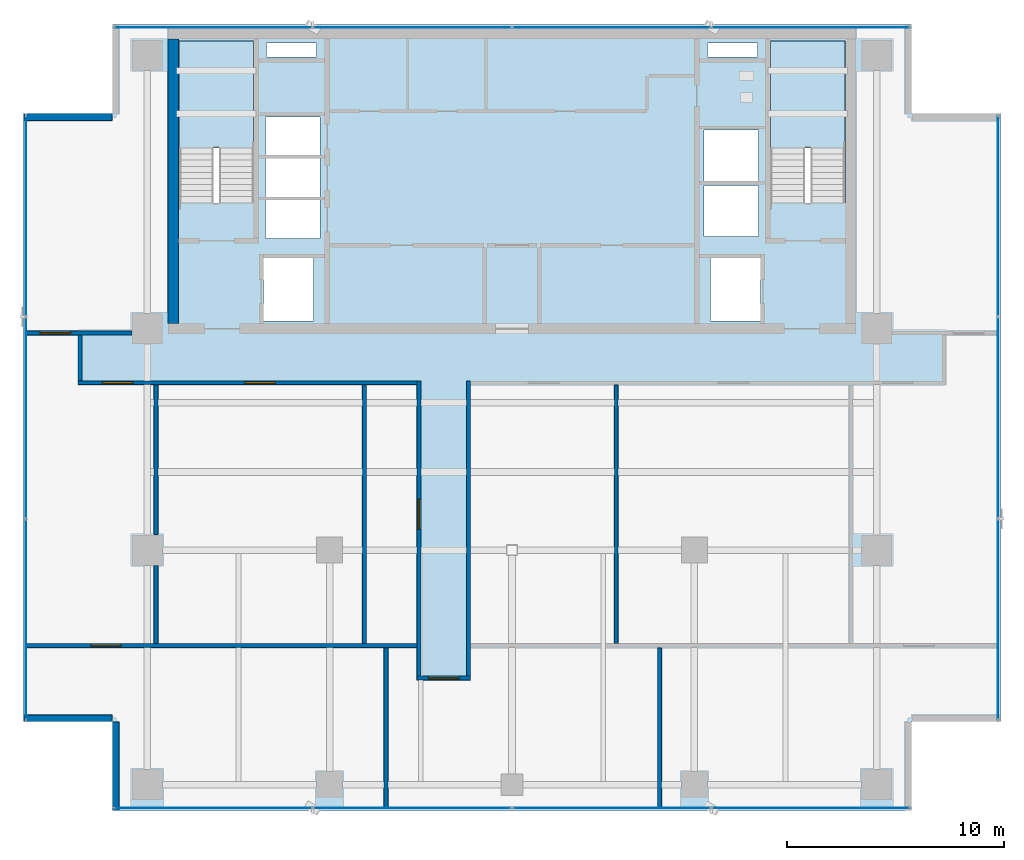
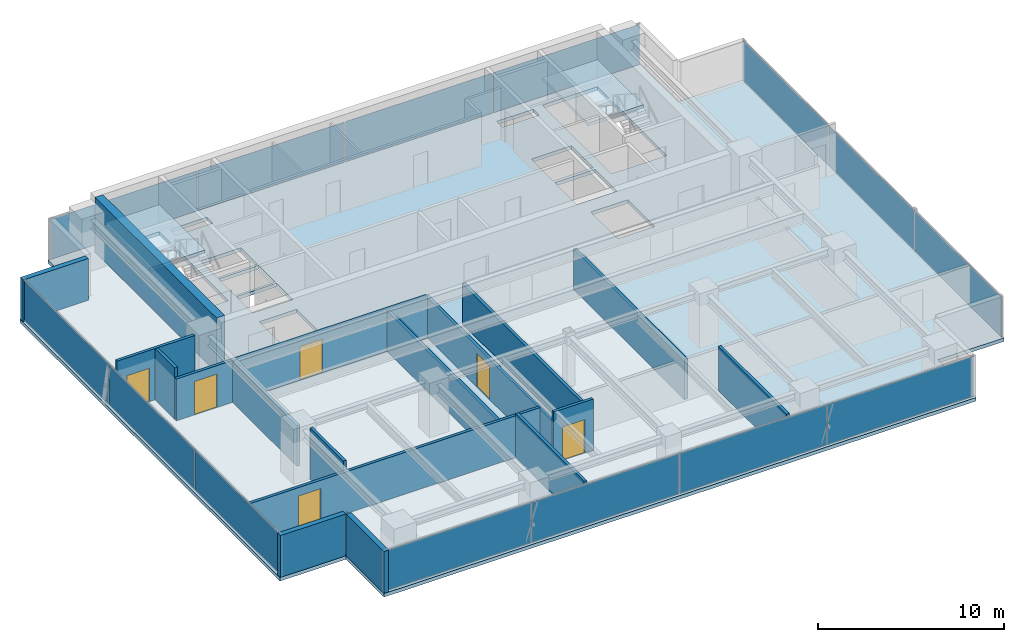
# One storey, part 19 of 26: 17 walls, 14 plates, 6 doors, 3 slabs, 6 openings, 6 elements without a shape of their own.
"""IFC4 building model written with IfcOpenShell, lengths in metres."""

from ifc_helpers import new_model, si_unit, direction, frame, frame_2d, origin, origin_2d, place, context, subcontext, project, spatial, polyline, rectangle, outline, extrude, source, transform, mapped, material, layer, layer_set, type_object, element, fill, aggregate, save


model = new_model("IFC4")

# Units and contexts
model_context = context("Model", 3, precision=1e-05, world=origin(), true_north=direction((0.0, 1.0)))
body_context = subcontext(model_context, "Body", "Model", "MODEL_VIEW")
ifc_project = project(units=[si_unit("LENGTHUNIT", "METRE"), si_unit("AREAUNIT", "SQUARE_METRE"), si_unit("VOLUMEUNIT", "CUBIC_METRE"), si_unit("PLANEANGLEUNIT", "RADIAN"), si_unit("MASSUNIT", "GRAM", prefix="KILO")], contexts=[model_context])

# Site, building, storey
site_placement = place(None, origin())
site = spatial("IfcSite", under=ifc_project, at=site_placement, CompositionType="ELEMENT")
building_placement = place(site_placement, origin())
building = spatial("IfcBuilding", under=site, at=building_placement, Name="Sumidabori Civic Tower", CompositionType="ELEMENT")
storey_placement = place(building_placement, frame((0.0, 0.0, 264.800048828125)))
storey = spatial("IfcBuildingStorey", under=building, at=storey_placement, Name="L69", CompositionType="ELEMENT", Elevation=264.800048828125)

# Stair, slab
ifc_material_1 = material(Name="Concrete C40/50", Category="concrete")
stair_type = type_object("IfcStairType", Name="ST-CORE-1600", PredefinedType="HALF_TURN_STAIR", material=ifc_material_1)
stair_1_placement = place(storey_placement, origin())
stair_1 = element("IfcStair", 1, at=stair_1_placement, inside=storey, type_object=stair_type, Name="L69 ST-1", PredefinedType="HALF_TURN_STAIR")
ifc_layer_1 = layer(ifc_material_1, 0.199951171875, Name="Concrete C40/50")
ifc_layer_set_1 = layer_set([ifc_layer_1], Name="Concrete C40/50")
slab_type_1 = type_object("IfcSlabType", Name="SL-LAND-200", PredefinedType="LANDING", material=ifc_layer_set_1)
slab_1_placement = place(storey_placement, frame((0.0, 0.0, 1.599853515625)))
slab_1 = element("IfcSlab", 2, at=slab_1_placement, type_object=slab_type_1, Name="ST-1 landing 1", PredefinedType="LANDING", context=body_context, shape_type="SweptSolid", body=[
    extrude(outline(polyline([(-11.89990234375, 18.52001953125), (-11.89990234375, 23.449951171875), (-15.340087890625, 23.449951171875), (-15.340087890625, 18.52001953125), (-11.89990234375, 18.52001953125)])), origin(), (0.0, 0.0, 1.0), 0.2001953125),
])
aggregate(stair_1, [slab_1])

stair_2_placement = place(storey_placement, origin())
stair_2 = element("IfcStair", 3, at=stair_2_placement, inside=storey, type_object=stair_type, Name="L69 ST-2", PredefinedType="HALF_TURN_STAIR")
slab_2_placement = place(storey_placement, frame((0.0, 0.0, 1.599853515625)))
slab_2 = element("IfcSlab", 4, at=slab_2_placement, type_object=slab_type_1, Name="ST-2 landing 1", PredefinedType="LANDING", context=body_context, shape_type="SweptSolid", body=[
    extrude(outline(polyline([(15.340087890625, 18.52001953125), (15.340087890625, 23.449951171875), (11.89990234375, 23.449951171875), (11.89990234375, 18.52001953125), (15.340087890625, 18.52001953125)])), origin(), (0.0, 0.0, 1.0), 0.2001953125),
])
aggregate(stair_2, [slab_2])

# Slab
ifc_layer_2 = layer(ifc_material_1, 0.22998046875, Name="Concrete C40/50")
ifc_layer_set_2 = layer_set([ifc_layer_2], Name="Concrete C40/50")
slab_type_2 = type_object("IfcSlabType", Name="SL-Z4-230", PredefinedType="FLOOR", material=ifc_layer_set_2)
slab_3_placement = place(storey_placement, frame((0.0, 0.0, -0.22998046875)))
element("IfcSlab", 5, at=slab_3_placement, inside=storey, type_object=slab_type_2, Name="Structural Slab L69", PredefinedType="FLOOR", context=body_context, shape_type="SweptSolid", body=[
    extrude(outline(polyline([(-18.39990234375, -12.0), (18.39990234375, -12.0), (18.39990234375, -7.89990234375), (22.5, -7.89990234375), (22.5, 20.10009765625), (18.39990234375, 20.10009765625), (18.39990234375, 24.199951171875), (-18.39990234375, 24.199951171875), (-18.39990234375, 20.10009765625), (-22.5, 20.10009765625), (-22.5, -7.89990234375), (-18.39990234375, -7.89990234375), (-18.39990234375, -12.0)]), holes=[polyline([(-11.89990234375, 16.0), (-11.89990234375, 23.449951171875), (-15.340087890625, 23.449951171875), (-15.340087890625, 16.0), (-11.89990234375, 16.0)]), polyline([(15.340087890625, 16.0), (15.340087890625, 23.449951171875), (11.89990234375, 23.449951171875), (11.89990234375, 16.0), (15.340087890625, 16.0)]), polyline([(-11.449951171875, 10.550048828125), (-9.14990234375, 10.550048828125), (-9.14990234375, 13.449951171875), (-11.449951171875, 13.449951171875), (-11.449951171875, 10.550048828125)]), polyline([(9.14990234375, 10.550048828125), (11.449951171875, 10.550048828125), (11.449951171875, 13.449951171875), (9.14990234375, 13.449951171875), (9.14990234375, 10.550048828125)]), polyline([(-11.35009765625, 14.35009765625), (-8.85009765625, 14.35009765625), (-8.85009765625, 16.1201171875), (-11.35009765625, 16.1201171875), (-11.35009765625, 14.35009765625)]), polyline([(-11.35009765625, 16.27001953125), (-8.85009765625, 16.27001953125), (-8.85009765625, 18.0400390625), (-11.35009765625, 18.0400390625), (-11.35009765625, 16.27001953125)]), polyline([(-11.35009765625, 18.18994140625), (-8.85009765625, 18.18994140625), (-8.85009765625, 19.9599609375), (-11.35009765625, 19.9599609375), (-11.35009765625, 18.18994140625)]), polyline([(8.85009765625, 14.449951171875), (11.35009765625, 14.449951171875), (11.35009765625, 16.800048828125), (8.85009765625, 16.800048828125), (8.85009765625, 14.449951171875)]), polyline([(8.85009765625, 17.0), (11.35009765625, 17.0), (11.35009765625, 19.35009765625), (8.85009765625, 19.35009765625), (8.85009765625, 17.0)]), polyline([(-11.300048828125, 22.719970703125), (-9.0, 22.719970703125), (-9.0, 23.35009765625), (-11.300048828125, 23.35009765625), (-11.300048828125, 22.719970703125)]), polyline([(9.0, 22.719970703125), (11.300048828125, 22.719970703125), (11.300048828125, 23.35009765625), (9.0, 23.35009765625), (9.0, 22.719970703125)])]), origin(), (0.0, 0.0, 1.0), 0.22998046875),
])

# Curtain wall, plates
ifc_material_2 = material(Name="Anodised Bronze Aluminium AW-6063-T6", Category="aluminium")
ifc_layer_3 = layer(ifc_material_2, 0.179931640625, Name="Anodised Bronze Aluminium AW-6063-T6")
ifc_layer_set_3 = layer_set([ifc_layer_3], Name="Anodised Bronze Aluminium AW-6063-T6")
curtain_wall_type = type_object("IfcCurtainWallType", Name="CW-SYS-5", PredefinedType="NOTDEFINED", material=ifc_layer_set_3)
curtain_wall_1_placement = place(storey_placement, origin())
curtain_wall_1 = element("IfcCurtainWall", 6, at=curtain_wall_1_placement, inside=storey, type_object=curtain_wall_type, Name="Curtain Wall CW:L69:R04", PredefinedType="NOTDEFINED")
ifc_material_3 = material(Name="Low-E Solar-Control Vision Glazing", Category="glass")
ifc_layer_4 = layer(ifc_material_3, 0.028076171875, Name="Low-E Solar-Control Vision Glazing")
ifc_layer_set_4 = layer_set([ifc_layer_4], Name="Low-E Solar-Control Vision Glazing")
plate_type = type_object("IfcPlateType", Name="CW-PNL-28", PredefinedType="CURTAIN_PANEL", material=ifc_layer_set_4)
shared_shape_1 = source(origin(), body_context, "Body", "SweptSolid", [
    extrude(rectangle(XDim=9.223388671875, YDim=0.028076171875, at=origin_2d()), origin(), (0.0, 0.0, 1.0), 2.6298828125),
])
plate_1_placement = place(storey_placement, frame((22.3798828125, -3.1982421875, 0.06005859375), z_axis=(0.0, 0.0, 1.0), x_axis=(0.0, 1.0, 0.0)))
plate_1 = element("IfcPlate", 7, at=plate_1_placement, type_object=plate_type, Name="CW-5 panel 1.1", PredefinedType="CURTAIN_PANEL", context=body_context, shape_type="MappedRepresentation", body=[
    mapped(shared_shape_1, transform((0.0, 0.0, 0.0), x_axis=(1.0, 0.0, 0.0), y_axis=(0.0, 1.0, 0.0), z_axis=(0.0, 0.0, 1.0), scale=1.0)),
])
plate_2_placement = place(storey_placement, frame((22.3798828125, 15.3984375, 0.06005859375), z_axis=(0.0, 0.0, 1.0), x_axis=(0.0, 1.0, 0.0)))
plate_2 = element("IfcPlate", 8, at=plate_2_placement, type_object=plate_type, Name="CW-5 panel 3.1", PredefinedType="CURTAIN_PANEL", context=body_context, shape_type="MappedRepresentation", body=[
    mapped(shared_shape_1, transform((0.0, 0.0, 0.0), x_axis=(1.0, 0.0, 0.0), y_axis=(0.0, 1.0, 0.0), z_axis=(0.0, 0.0, 1.0), scale=1.0)),
])

curtain_wall_2_placement = place(storey_placement, origin())
curtain_wall_2 = element("IfcCurtainWall", 9, at=curtain_wall_2_placement, inside=storey, type_object=curtain_wall_type, Name="Curtain Wall CW:L69:R10", PredefinedType="NOTDEFINED")
plate_3_placement = place(storey_placement, frame((-22.3798828125, 15.3984375, 0.06005859375), z_axis=(0.0, 0.0, 1.0), x_axis=(0.0, -1.0, 0.0)))
plate_3 = element("IfcPlate", 10, at=plate_3_placement, type_object=plate_type, Name="CW-5 panel 1.1", PredefinedType="CURTAIN_PANEL", context=body_context, shape_type="MappedRepresentation", body=[
    mapped(shared_shape_1, transform((0.0, 0.0, 0.0), x_axis=(1.0, 0.0, 0.0), y_axis=(0.0, 1.0, 0.0), z_axis=(0.0, 0.0, 1.0), scale=1.0)),
])
plate_4_placement = place(storey_placement, frame((-22.3798828125, -3.1982421875, 0.06005859375), z_axis=(0.0, 0.0, 1.0), x_axis=(0.0, -1.0, 0.0)))
plate_4 = element("IfcPlate", 11, at=plate_4_placement, type_object=plate_type, Name="CW-5 panel 3.1", PredefinedType="CURTAIN_PANEL", context=body_context, shape_type="MappedRepresentation", body=[
    mapped(shared_shape_1, transform((0.0, 0.0, 0.0), x_axis=(1.0, 0.0, 0.0), y_axis=(0.0, 1.0, 0.0), z_axis=(0.0, 0.0, 1.0), scale=1.0)),
])

# Plate
shared_shape_2 = source(origin(), body_context, "Body", "SweptSolid", [
    extrude(rectangle(XDim=9.25341796875, YDim=0.028076171875, at=origin_2d()), origin(), (0.0, 0.0, 1.0), 2.6298828125),
])
plate_5_placement = place(storey_placement, frame((22.3798828125, 6.10009765625, 0.06005859375), z_axis=(0.0, 0.0, 1.0), x_axis=(0.0, 1.0, 0.0)))
plate_5 = element("IfcPlate", 12, at=plate_5_placement, type_object=plate_type, Name="CW-5 panel 2.1", PredefinedType="CURTAIN_PANEL", context=body_context, shape_type="MappedRepresentation", body=[
    mapped(shared_shape_2, transform((0.0, 0.0, 0.0), x_axis=(1.0, 0.0, 0.0), y_axis=(0.0, 1.0, 0.0), z_axis=(0.0, 0.0, 1.0), scale=1.0)),
])

aggregate(curtain_wall_1, [plate_1, plate_5, plate_2])

plate_6_placement = place(storey_placement, frame((-22.3798828125, 6.10009765625, 0.06005859375), z_axis=(0.0, 0.0, 1.0), x_axis=(0.0, -1.0, 0.0)))
plate_6 = element("IfcPlate", 13, at=plate_6_placement, type_object=plate_type, Name="CW-5 panel 2.1", PredefinedType="CURTAIN_PANEL", context=body_context, shape_type="MappedRepresentation", body=[
    mapped(shared_shape_2, transform((0.0, 0.0, 0.0), x_axis=(1.0, 0.0, 0.0), y_axis=(0.0, 1.0, 0.0), z_axis=(0.0, 0.0, 1.0), scale=1.0)),
])

aggregate(curtain_wall_2, [plate_3, plate_6, plate_4])

# Curtain wall, plates
curtain_wall_3_placement = place(storey_placement, origin())
curtain_wall_3 = element("IfcCurtainWall", 14, at=curtain_wall_3_placement, inside=storey, type_object=curtain_wall_type, Name="Curtain Wall CW:L69:R01", PredefinedType="NOTDEFINED")
shared_shape_3 = source(origin(), body_context, "Body", "SweptSolid", [
    extrude(rectangle(XDim=9.094970703125, YDim=0.028076171875, at=origin_2d()), origin(), (0.0, 0.0, 1.0), 2.6298828125),
])
plate_7_placement = place(storey_placement, frame((-13.762451171875, -11.8798828125, 0.06005859375), z_axis=(0.0, 0.0, 1.0), x_axis=(1.0, 0.0, 0.0)))
plate_7 = element("IfcPlate", 15, at=plate_7_placement, type_object=plate_type, Name="CW-5 panel 1.1", PredefinedType="CURTAIN_PANEL", context=body_context, shape_type="MappedRepresentation", body=[
    mapped(shared_shape_3, transform((0.0, 0.0, 0.0), x_axis=(1.0, 0.0, 0.0), y_axis=(0.0, 1.0, 0.0), z_axis=(0.0, 0.0, 1.0), scale=1.0)),
])
plate_8_placement = place(storey_placement, frame((13.762451171875, -11.8798828125, 0.06005859375), z_axis=(0.0, 0.0, 1.0), x_axis=(1.0, 0.0, 0.0)))
plate_8 = element("IfcPlate", 16, at=plate_8_placement, type_object=plate_type, Name="CW-5 panel 4.1", PredefinedType="CURTAIN_PANEL", context=body_context, shape_type="MappedRepresentation", body=[
    mapped(shared_shape_3, transform((0.0, 0.0, 0.0), x_axis=(1.0, 0.0, 0.0), y_axis=(0.0, 1.0, 0.0), z_axis=(0.0, 0.0, 1.0), scale=1.0)),
])

curtain_wall_4_placement = place(storey_placement, origin())
curtain_wall_4 = element("IfcCurtainWall", 17, at=curtain_wall_4_placement, inside=storey, type_object=curtain_wall_type, Name="Curtain Wall CW:L69:R07", PredefinedType="NOTDEFINED")
plate_9_placement = place(storey_placement, frame((13.762451171875, 24.080078125, 0.06005859375), z_axis=(0.0, 0.0, 1.0), x_axis=(-1.0, 0.0, 0.0)))
plate_9 = element("IfcPlate", 18, at=plate_9_placement, type_object=plate_type, Name="CW-5 panel 1.1", PredefinedType="CURTAIN_PANEL", context=body_context, shape_type="MappedRepresentation", body=[
    mapped(shared_shape_3, transform((0.0, 0.0, 0.0), x_axis=(1.0, 0.0, 0.0), y_axis=(0.0, 1.0, 0.0), z_axis=(0.0, 0.0, 1.0), scale=1.0)),
])
plate_10_placement = place(storey_placement, frame((-13.762451171875, 24.080078125, 0.06005859375), z_axis=(0.0, 0.0, 1.0), x_axis=(-1.0, 0.0, 0.0)))
plate_10 = element("IfcPlate", 19, at=plate_10_placement, type_object=plate_type, Name="CW-5 panel 4.1", PredefinedType="CURTAIN_PANEL", context=body_context, shape_type="MappedRepresentation", body=[
    mapped(shared_shape_3, transform((0.0, 0.0, 0.0), x_axis=(1.0, 0.0, 0.0), y_axis=(0.0, 1.0, 0.0), z_axis=(0.0, 0.0, 1.0), scale=1.0)),
])

# Plate
shared_shape_4 = source(origin(), body_context, "Body", "SweptSolid", [
    extrude(rectangle(XDim=9.125, YDim=0.028076171875, at=origin_2d()), origin(), (0.0, 0.0, 1.0), 2.6298828125),
])
plate_11_placement = place(storey_placement, frame((-4.592529296875, -11.8798828125, 0.06005859375), z_axis=(0.0, 0.0, 1.0), x_axis=(1.0, 0.0, 0.0)))
plate_11 = element("IfcPlate", 20, at=plate_11_placement, type_object=plate_type, Name="CW-5 panel 2.1", PredefinedType="CURTAIN_PANEL", context=body_context, shape_type="MappedRepresentation", body=[
    mapped(shared_shape_4, transform((0.0, 0.0, 0.0), x_axis=(1.0, 0.0, 0.0), y_axis=(0.0, 1.0, 0.0), z_axis=(0.0, 0.0, 1.0), scale=1.0)),
])

plate_12_placement = place(storey_placement, frame((4.592529296875, -11.8798828125, 0.06005859375), z_axis=(0.0, 0.0, 1.0), x_axis=(1.0, 0.0, 0.0)))
plate_12 = element("IfcPlate", 21, at=plate_12_placement, type_object=plate_type, Name="CW-5 panel 3.1", PredefinedType="CURTAIN_PANEL", context=body_context, shape_type="MappedRepresentation", body=[
    mapped(shared_shape_4, transform((0.0, 0.0, 0.0), x_axis=(1.0, 0.0, 0.0), y_axis=(0.0, 1.0, 0.0), z_axis=(0.0, 0.0, 1.0), scale=1.0)),
])

aggregate(curtain_wall_3, [plate_7, plate_11, plate_12, plate_8])

plate_13_placement = place(storey_placement, frame((4.592529296875, 24.080078125, 0.06005859375), z_axis=(0.0, 0.0, 1.0), x_axis=(-1.0, 0.0, 0.0)))
plate_13 = element("IfcPlate", 22, at=plate_13_placement, type_object=plate_type, Name="CW-5 panel 2.1", PredefinedType="CURTAIN_PANEL", context=body_context, shape_type="MappedRepresentation", body=[
    mapped(shared_shape_4, transform((0.0, 0.0, 0.0), x_axis=(1.0, 0.0, 0.0), y_axis=(0.0, 1.0, 0.0), z_axis=(0.0, 0.0, 1.0), scale=1.0)),
])

plate_14_placement = place(storey_placement, frame((-4.592529296875, 24.080078125, 0.06005859375), z_axis=(0.0, 0.0, 1.0), x_axis=(-1.0, 0.0, 0.0)))
plate_14 = element("IfcPlate", 23, at=plate_14_placement, type_object=plate_type, Name="CW-5 panel 3.1", PredefinedType="CURTAIN_PANEL", context=body_context, shape_type="MappedRepresentation", body=[
    mapped(shared_shape_4, transform((0.0, 0.0, 0.0), x_axis=(1.0, 0.0, 0.0), y_axis=(0.0, 1.0, 0.0), z_axis=(0.0, 0.0, 1.0), scale=1.0)),
])

aggregate(curtain_wall_4, [plate_9, plate_13, plate_14, plate_10])

# Walls
ifc_material_4 = material(Name="Concrete C50/60", Category="concrete")
ifc_layer_5 = layer(ifc_material_4, 0.5, Name="Concrete C50/60")
ifc_layer_set_5 = layer_set([ifc_layer_5], Name="Concrete C50/60")
wall_type_1 = type_object("IfcWallType", Name="WL-CORE-500", PredefinedType="SHEAR", material=ifc_layer_set_5)
shared_shape_5 = source(origin(), body_context, "Body", "SweptSolid", [
    extrude(rectangle(XDim=13.10009765625, YDim=0.5, at=frame_2d((6.550048828125, 0.0))), origin(), (0.0, 0.0, 1.0), 3.599853515625),
])
wall_1_placement = place(storey_placement, frame((-15.60009765625, 10.449951171875, 0.0), z_axis=(0.0, 0.0, 1.0), x_axis=(0.0, 1.0, 0.0)))
element("IfcWall", 24, at=wall_1_placement, inside=storey, type_object=wall_type_1, Name="Core Shear Wall L69 W", PredefinedType="SHEAR", context=body_context, shape_type="MappedRepresentation", body=[
    mapped(shared_shape_5, transform((0.0, 0.0, 0.0), x_axis=(1.0, 0.0, 0.0), y_axis=(0.0, 1.0, 0.0), z_axis=(0.0, 0.0, 1.0), scale=1.0)),
])
ifc_material_5 = material(Name="Precast concrete C40/50", Category="concrete")
ifc_layer_6 = layer(ifc_material_5, 0.300048828125, Name="Precast concrete C40/50")
ifc_layer_set_6 = layer_set([ifc_layer_6], Name="Precast concrete C40/50")
wall_type_2 = type_object("IfcWallType", Name="WL-EXT-POD300", PredefinedType="STANDARD", material=ifc_layer_set_6)
shared_shape_6 = source(origin(), body_context, "Body", "SweptSolid", [
    extrude(rectangle(XDim=4.06005859375, YDim=0.300048828125, at=frame_2d((2.030029296875, 0.0))), origin(), (0.0, 0.0, 1.0), 2.75),
])
for number, where, z_axis, x_axis, name in (
    (25, (-18.419921875, 19.949951171875, 0.0), (0.0, 0.0, 1.0), (-1.0, 0.0, 0.0), "Notched Corner Spandrel Band L69-09"),
    (26, (-22.47998046875, -7.75, 0.0), (0.0, 0.0, 1.0), (1.0, 0.0, 0.0), "Notched Corner Spandrel Band L69-11"),
    (27, (-18.25, -7.919921875, 0.0), (0.0, 0.0, 1.0), (0.0, -1.0, 0.0), "Notched Corner Spandrel Band L69-12"),
):
    element("IfcWall", number, at=place(storey_placement, frame(where, z_axis=z_axis, x_axis=x_axis)), inside=storey, type_object=wall_type_2, Name=name, PredefinedType="STANDARD", context=body_context, shape_type="MappedRepresentation", body=[
        mapped(shared_shape_6, transform((0.0, 0.0, 0.0), x_axis=(1.0, 0.0, 0.0), y_axis=(0.0, 1.0, 0.0), z_axis=(0.0, 0.0, 1.0), scale=1.0)),
    ])

# Wall, opening, door
ifc_material_6 = material(Name="Gypsum Plasterboard Acoustic Partition")
ifc_layer_7 = layer(ifc_material_6, 0.179931640625, Name="Gypsum Plasterboard Acoustic Partition")
ifc_layer_set_7 = layer_set([ifc_layer_7], Name="Gypsum Plasterboard Acoustic Partition")
wall_type_3 = type_object("IfcWallType", Name="WL-PART-180", PredefinedType="PARTITIONING", material=ifc_layer_set_7)
shared_shape_7 = source(origin(), body_context, "Body", "SweptSolid", [
    extrude(rectangle(XDim=4.840087890625, YDim=0.179931640625, at=frame_2d((2.419921875, 0.0))), origin(), (0.0, 0.0, 1.0), 3.369873046875),
])
wall_2_placement = place(storey_placement, frame((-22.35009765625, 10.0, 0.0), z_axis=(0.0, 0.0, 1.0), x_axis=(1.0, 0.0, 0.0)))
wall_2 = element("IfcWall", 28, at=wall_2_placement, inside=storey, type_object=wall_type_3, Name="Interior Partition WL:L69:FLK-NW", PredefinedType="PARTITIONING", context=body_context, shape_type="MappedRepresentation", body=[
    mapped(shared_shape_7, transform((0.0, 0.0, 0.0), x_axis=(1.0, 0.0, 0.0), y_axis=(0.0, 1.0, 0.0), z_axis=(0.0, 0.0, 1.0), scale=1.0)),
])
opening_1_placement = place(wall_2_placement, frame((0.6201171875, 0.0, 0.0)))
opening_1 = element("IfcOpeningElement", 29, at=opening_1_placement, cuts=wall_2, Name="Opening DR-5", PredefinedType="OPENING", context=body_context, shape_type="SweptSolid", body=[
    extrude(rectangle(XDim=1.39990234375, YDim=2.199951171875, at=frame_2d((0.699951171875, 1.10009765625))), frame((0.0, 0.10205078125, 0.0), z_axis=(0.0, -1.0, 0.0), x_axis=(1.0, 0.0, 0.0)), (0.0, 0.0, 1.0), 0.203857421875),
])
door_type = type_object("IfcDoorType", Name="DR-DBL-1400", OperationType="DOUBLE_DOOR_SINGLE_SWING", PredefinedType="DOOR", material=ifc_material_2)
shared_shape_8 = source(origin(), body_context, "Body", "SweptSolid", [
    extrude(rectangle(XDim=1.39990234375, YDim=2.199951171875, at=frame_2d((0.699951171875, 1.10009765625))), frame((0.0, 0.02490234375, 0.0), z_axis=(0.0, -1.0, 0.0), x_axis=(1.0, 0.0, 0.0)), (0.0, 0.0, 1.0), 0.050048828125),
])
door_1_placement = place(opening_1_placement, origin())
door_1 = element("IfcDoor", 30, at=door_1_placement, inside=storey, type_object=door_type, Name="Door DR:L69:D08", OperationType="DOUBLE_DOOR_SINGLE_SWING", OverallHeight=2.199951171875, OverallWidth=1.39990234375, PredefinedType="DOOR", context=body_context, shape_type="MappedRepresentation", body=[
    mapped(shared_shape_8, transform((0.0, 0.0, 0.0), x_axis=(1.0, 0.0, 0.0), y_axis=(0.0, 1.0, 0.0), z_axis=(0.0, 0.0, 1.0), scale=1.0)),
])
fill(opening_1, door_1)

# Wall, openings, doors
shared_shape_9 = source(origin(), body_context, "Body", "SweptSolid", [
    extrude(rectangle(XDim=15.60009765625, YDim=0.179931640625, at=frame_2d((7.800048828125, 0.0))), origin(), (0.0, 0.0, 1.0), 2.7548828125),
])
wall_3_placement = place(storey_placement, frame((-19.97998046875, 7.7099609375, 0.0), z_axis=(0.0, 0.0, 1.0), x_axis=(1.0, 0.0, 0.0)))
wall_3 = element("IfcWall", 31, at=wall_3_placement, inside=storey, type_object=wall_type_3, Name="Interior Partition WL:L69:CORR-SW", PredefinedType="PARTITIONING", context=body_context, shape_type="MappedRepresentation", body=[
    mapped(shared_shape_9, transform((0.0, 0.0, 0.0), x_axis=(1.0, 0.0, 0.0), y_axis=(0.0, 1.0, 0.0), z_axis=(0.0, 0.0, 1.0), scale=1.0)),
])
opening_2_placement = place(wall_3_placement, frame((1.114990234375, 0.0, 0.0)))
opening_2 = element("IfcOpeningElement", 32, at=opening_2_placement, cuts=wall_3, Name="Opening DR-5", PredefinedType="OPENING", context=body_context, shape_type="SweptSolid", body=[
    extrude(rectangle(XDim=1.39990234375, YDim=2.199951171875, at=frame_2d((0.699951171875, 1.10009765625))), frame((0.0, 0.10205078125, 0.0), z_axis=(0.0, -1.0, 0.0), x_axis=(1.0, 0.0, 0.0)), (0.0, 0.0, 1.0), 0.203857421875),
])
opening_3_placement = place(wall_3_placement, frame((7.679931640625, 0.0, 0.0)))
opening_3 = element("IfcOpeningElement", 33, at=opening_3_placement, cuts=wall_3, Name="Opening DR-5", PredefinedType="OPENING", context=body_context, shape_type="SweptSolid", body=[
    extrude(rectangle(XDim=1.39990234375, YDim=2.199951171875, at=frame_2d((0.699951171875, 1.10009765625))), frame((0.0, 0.10205078125, 0.0), z_axis=(0.0, -1.0, 0.0), x_axis=(1.0, 0.0, 0.0)), (0.0, 0.0, 1.0), 0.203857421875),
])
door_2_placement = place(opening_2_placement, origin())
door_2 = element("IfcDoor", 34, at=door_2_placement, inside=storey, type_object=door_type, Name="Door DR:L69:D01", OperationType="DOUBLE_DOOR_SINGLE_SWING", OverallHeight=2.199951171875, OverallWidth=1.39990234375, PredefinedType="DOOR", context=body_context, shape_type="MappedRepresentation", body=[
    mapped(shared_shape_8, transform((0.0, 0.0, 0.0), x_axis=(1.0, 0.0, 0.0), y_axis=(0.0, 1.0, 0.0), z_axis=(0.0, 0.0, 1.0), scale=1.0)),
])
fill(opening_2, door_2)
door_3_placement = place(opening_3_placement, origin())
door_3 = element("IfcDoor", 35, at=door_3_placement, inside=storey, type_object=door_type, Name="Door DR:L69:D03", OperationType="DOUBLE_DOOR_SINGLE_SWING", OverallHeight=2.199951171875, OverallWidth=1.39990234375, PredefinedType="DOOR", context=body_context, shape_type="MappedRepresentation", body=[
    mapped(shared_shape_8, transform((0.0, 0.0, 0.0), x_axis=(1.0, 0.0, 0.0), y_axis=(0.0, 1.0, 0.0), z_axis=(0.0, 0.0, 1.0), scale=1.0)),
])
fill(opening_3, door_3)

# Wall, opening, door
shared_shape_10 = source(origin(), body_context, "Body", "SweptSolid", [
    extrude(rectangle(XDim=2.4599609375, YDim=0.179931640625, at=frame_2d((1.22998046875, 0.0))), origin(), (0.0, 0.0, 1.0), 3.369873046875),
])
wall_4_placement = place(storey_placement, frame((-4.3798828125, -5.889892578125, 0.0), z_axis=(0.0, 0.0, 1.0), x_axis=(1.0, 0.0, 0.0)))
wall_4 = element("IfcWall", 36, at=wall_4_placement, inside=storey, type_object=wall_type_3, Name="Interior Partition WL:L69:CORR-CAP-C", PredefinedType="PARTITIONING", context=body_context, shape_type="MappedRepresentation", body=[
    mapped(shared_shape_10, transform((0.0, 0.0, 0.0), x_axis=(1.0, 0.0, 0.0), y_axis=(0.0, 1.0, 0.0), z_axis=(0.0, 0.0, 1.0), scale=1.0)),
])
opening_4_placement = place(wall_4_placement, frame((0.530029296875, 0.0, 0.0)))
opening_4 = element("IfcOpeningElement", 37, at=opening_4_placement, cuts=wall_4, Name="Opening DR-5", PredefinedType="OPENING", context=body_context, shape_type="SweptSolid", body=[
    extrude(rectangle(XDim=1.39990234375, YDim=2.199951171875, at=frame_2d((0.699951171875, 1.10009765625))), frame((0.0, 0.10205078125, 0.0), z_axis=(0.0, -1.0, 0.0), x_axis=(1.0, 0.0, 0.0)), (0.0, 0.0, 1.0), 0.203857421875),
])
door_4_placement = place(opening_4_placement, origin())
door_4 = element("IfcDoor", 38, at=door_4_placement, inside=storey, type_object=door_type, Name="Door DR:L69:D07", OperationType="DOUBLE_DOOR_SINGLE_SWING", OverallHeight=2.199951171875, OverallWidth=1.39990234375, PredefinedType="DOOR", context=body_context, shape_type="MappedRepresentation", body=[
    mapped(shared_shape_8, transform((0.0, 0.0, 0.0), x_axis=(1.0, 0.0, 0.0), y_axis=(0.0, 1.0, 0.0), z_axis=(0.0, 0.0, 1.0), scale=1.0)),
])
fill(opening_4, door_4)

# Wall
shared_shape_11 = source(origin(), body_context, "Body", "SweptSolid", [
    extrude(rectangle(XDim=2.10009765625, YDim=0.179931640625, at=frame_2d((1.050048828125, 0.0))), origin(), (0.0, 0.0, 1.0), 3.369873046875),
])
wall_5_placement = place(storey_placement, frame((-19.889892578125, 7.804931640625, 0.0), z_axis=(0.0, 0.0, 1.0), x_axis=(0.0, 1.0, 0.0)))
element("IfcWall", 39, at=wall_5_placement, inside=storey, type_object=wall_type_3, Name="Interior Partition WL:L69:CORR-VNW", PredefinedType="PARTITIONING", context=body_context, shape_type="MappedRepresentation", body=[
    mapped(shared_shape_11, transform((0.0, 0.0, 0.0), x_axis=(1.0, 0.0, 0.0), y_axis=(0.0, 1.0, 0.0), z_axis=(0.0, 0.0, 1.0), scale=1.0)),
])

# Wall, opening, door
shared_shape_12 = source(origin(), body_context, "Body", "SweptSolid", [
    extrude(rectangle(XDim=13.594970703125, YDim=0.179931640625, at=frame_2d((6.79736328125, 0.0))), origin(), (0.0, 0.0, 1.0), 2.655029296875),
])
wall_6_placement = place(storey_placement, frame((-4.2900390625, -5.794921875, 0.0), z_axis=(0.0, 0.0, 1.0), x_axis=(0.0, 1.0, 0.0)))
wall_6 = element("IfcWall", 40, at=wall_6_placement, inside=storey, type_object=wall_type_3, Name="Interior Partition WL:L69:CORR-VC-W", PredefinedType="PARTITIONING", context=body_context, shape_type="MappedRepresentation", body=[
    mapped(shared_shape_12, transform((0.0, 0.0, 0.0), x_axis=(1.0, 0.0, 0.0), y_axis=(0.0, 1.0, 0.0), z_axis=(0.0, 0.0, 1.0), scale=1.0)),
])
opening_5_placement = place(wall_6_placement, frame((6.75, 0.0, 0.0)))
opening_5 = element("IfcOpeningElement", 41, at=opening_5_placement, cuts=wall_6, Name="Opening DR-5", PredefinedType="OPENING", context=body_context, shape_type="SweptSolid", body=[
    extrude(rectangle(XDim=1.39990234375, YDim=2.199951171875, at=frame_2d((0.699951171875, 1.10009765625))), frame((0.0, 0.10205078125, 0.0), z_axis=(0.0, -1.0, 0.0), x_axis=(1.0, 0.0, 0.0)), (0.0, 0.0, 1.0), 0.203857421875),
])
door_5_placement = place(opening_5_placement, origin())
door_5 = element("IfcDoor", 42, at=door_5_placement, inside=storey, type_object=door_type, Name="Door DR:L69:D04", OperationType="DOUBLE_DOOR_SINGLE_SWING", OverallHeight=2.199951171875, OverallWidth=1.39990234375, PredefinedType="DOOR", context=body_context, shape_type="MappedRepresentation", body=[
    mapped(shared_shape_8, transform((0.0, 0.0, 0.0), x_axis=(1.0, 0.0, 0.0), y_axis=(0.0, 1.0, 0.0), z_axis=(0.0, 0.0, 1.0), scale=1.0)),
])
fill(opening_5, door_5)

# Wall
wall_7_placement = place(storey_placement, frame((-2.010009765625, -5.794921875, 0.0), z_axis=(0.0, 0.0, 1.0), x_axis=(0.0, 1.0, 0.0)))
element("IfcWall", 43, at=wall_7_placement, inside=storey, type_object=wall_type_3, Name="Interior Partition WL:L69:CORR-VC-E", PredefinedType="PARTITIONING", context=body_context, shape_type="MappedRepresentation", body=[
    mapped(shared_shape_12, transform((0.0, 0.0, 0.0), x_axis=(1.0, 0.0, 0.0), y_axis=(0.0, 1.0, 0.0), z_axis=(0.0, 0.0, 1.0), scale=1.0)),
])

# Wall, opening, door
shared_shape_13 = source(origin(), body_context, "Body", "SweptSolid", [
    extrude(rectangle(XDim=17.965087890625, YDim=0.179931640625, at=frame_2d((8.982421875, 0.0))), origin(), (0.0, 0.0, 1.0), 2.7548828125),
])
wall_8_placement = place(storey_placement, frame((-22.35009765625, -4.39990234375, 0.0), z_axis=(0.0, 0.0, 1.0), x_axis=(1.0, 0.0, 0.0)))
wall_8 = element("IfcWall", 44, at=wall_8_placement, inside=storey, type_object=wall_type_3, Name="Interior Partition WL:L69:BAND-Y-1", PredefinedType="PARTITIONING", context=body_context, shape_type="MappedRepresentation", body=[
    mapped(shared_shape_13, transform((0.0, 0.0, 0.0), x_axis=(1.0, 0.0, 0.0), y_axis=(0.0, 1.0, 0.0), z_axis=(0.0, 0.0, 1.0), scale=1.0)),
])
opening_6_placement = place(wall_8_placement, frame((2.949951171875, 0.0, 0.0)))
opening_6 = element("IfcOpeningElement", 45, at=opening_6_placement, cuts=wall_8, Name="Opening DR-5", PredefinedType="OPENING", context=body_context, shape_type="SweptSolid", body=[
    extrude(rectangle(XDim=1.39990234375, YDim=2.199951171875, at=frame_2d((0.699951171875, 1.10009765625))), frame((0.0, 0.10205078125, 0.0), z_axis=(0.0, -1.0, 0.0), x_axis=(1.0, 0.0, 0.0)), (0.0, 0.0, 1.0), 0.203857421875),
])
door_6_placement = place(opening_6_placement, origin())
door_6 = element("IfcDoor", 46, at=door_6_placement, inside=storey, type_object=door_type, Name="Door DR:L69:D10", OperationType="DOUBLE_DOOR_SINGLE_SWING", OverallHeight=2.199951171875, OverallWidth=1.39990234375, PredefinedType="DOOR", context=body_context, shape_type="MappedRepresentation", body=[
    mapped(shared_shape_8, transform((0.0, 0.0, 0.0), x_axis=(1.0, 0.0, 0.0), y_axis=(0.0, 1.0, 0.0), z_axis=(0.0, 0.0, 1.0), scale=1.0)),
])
fill(opening_6, door_6)

# Walls
shared_shape_14 = source(origin(), body_context, "Body", "SweptSolid", [
    extrude(rectangle(XDim=3.594970703125, YDim=0.179931640625, at=frame_2d((1.79736328125, 0.0))), origin(), (0.0, 0.0, 1.0), 3.369873046875),
])
wall_9_placement = place(storey_placement, frame((-16.39990234375, -4.304931640625, 0.0), z_axis=(0.0, 0.0, 1.0), x_axis=(0.0, 1.0, 0.0)))
element("IfcWall", 47, at=wall_9_placement, inside=storey, type_object=wall_type_3, Name="Interior Partition WL:L69:VX-N1-1", PredefinedType="PARTITIONING", context=body_context, shape_type="MappedRepresentation", body=[
    mapped(shared_shape_14, transform((0.0, 0.0, 0.0), x_axis=(1.0, 0.0, 0.0), y_axis=(0.0, 1.0, 0.0), z_axis=(0.0, 0.0, 1.0), scale=1.0)),
])
shared_shape_15 = source(origin(), body_context, "Body", "SweptSolid", [
    extrude(rectangle(XDim=6.905029296875, YDim=0.179931640625, at=frame_2d((3.45263671875, 0.0))), origin(), (0.0, 0.0, 1.0), 2.655029296875),
])
wall_10_placement = place(storey_placement, frame((-16.39990234375, 0.7099609375, 0.0), z_axis=(0.0, 0.0, 1.0), x_axis=(0.0, 1.0, 0.0)))
element("IfcWall", 48, at=wall_10_placement, inside=storey, type_object=wall_type_3, Name="Interior Partition WL:L69:VX-N1-2", PredefinedType="PARTITIONING", context=body_context, shape_type="MappedRepresentation", body=[
    mapped(shared_shape_15, transform((0.0, 0.0, 0.0), x_axis=(1.0, 0.0, 0.0), y_axis=(0.0, 1.0, 0.0), z_axis=(0.0, 0.0, 1.0), scale=1.0)),
])
shared_shape_16 = source(origin(), body_context, "Body", "SweptSolid", [
    extrude(rectangle(XDim=11.919921875, YDim=0.179931640625, at=frame_2d((5.9599609375, 0.0))), origin(), (0.0, 0.0, 1.0), 2.655029296875),
])
for number, where, z_axis, x_axis, name in (
    (49, (-6.800048828125, -4.304931640625, 0.0), (0.0, 0.0, 1.0), (0.0, 1.0, 0.0), "Interior Partition WL:L69:VX-N2"),
    (50, (4.800048828125, -4.304931640625, 0.0), (0.0, 0.0, 1.0), (0.0, 1.0, 0.0), "Interior Partition WL:L69:VX-N3"),
):
    element("IfcWall", number, at=place(storey_placement, frame(where, z_axis=z_axis, x_axis=x_axis)), inside=storey, type_object=wall_type_3, Name=name, PredefinedType="PARTITIONING", context=body_context, shape_type="MappedRepresentation", body=[
        mapped(shared_shape_16, transform((0.0, 0.0, 0.0), x_axis=(1.0, 0.0, 0.0), y_axis=(0.0, 1.0, 0.0), z_axis=(0.0, 0.0, 1.0), scale=1.0)),
    ])
shared_shape_17 = source(origin(), body_context, "Body", "SweptSolid", [
    extrude(rectangle(XDim=7.35498046875, YDim=0.179931640625, at=frame_2d((3.677490234375, 0.0))), origin(), (0.0, 0.0, 1.0), 2.905029296875),
])
for number, where, z_axis, x_axis, name in (
    (51, (-5.800048828125, -11.85009765625, 0.0), (0.0, 0.0, 1.0), (0.0, 1.0, 0.0), "Interior Partition WL:L69:VX-S1"),
    (52, (6.800048828125, -11.85009765625, 0.0), (0.0, 0.0, 1.0), (0.0, 1.0, 0.0), "Interior Partition WL:L69:VX-S2"),
):
    element("IfcWall", number, at=place(storey_placement, frame(where, z_axis=z_axis, x_axis=x_axis)), inside=storey, type_object=wall_type_3, Name=name, PredefinedType="PARTITIONING", context=body_context, shape_type="MappedRepresentation", body=[
        mapped(shared_shape_17, transform((0.0, 0.0, 0.0), x_axis=(1.0, 0.0, 0.0), y_axis=(0.0, 1.0, 0.0), z_axis=(0.0, 0.0, 1.0), scale=1.0)),
    ])

save(model, "model.ifc")
